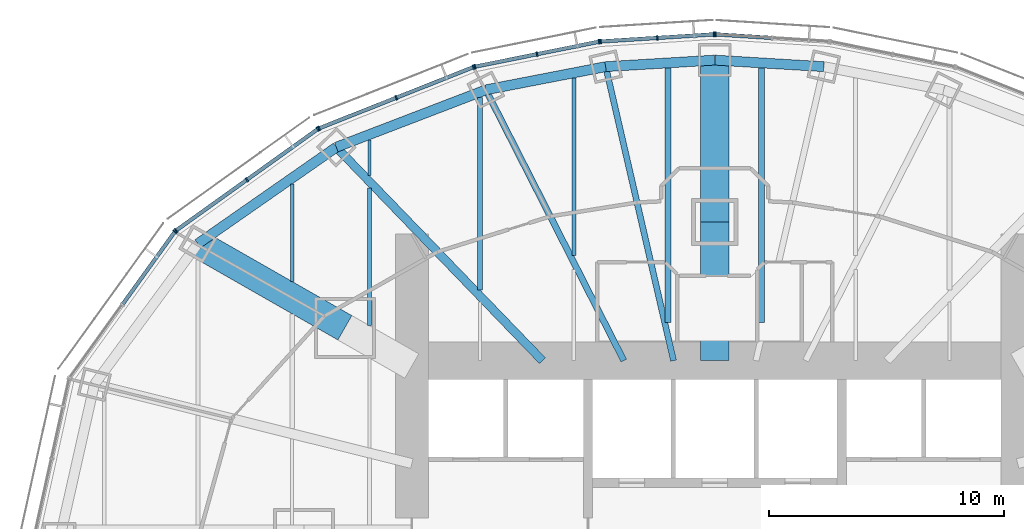
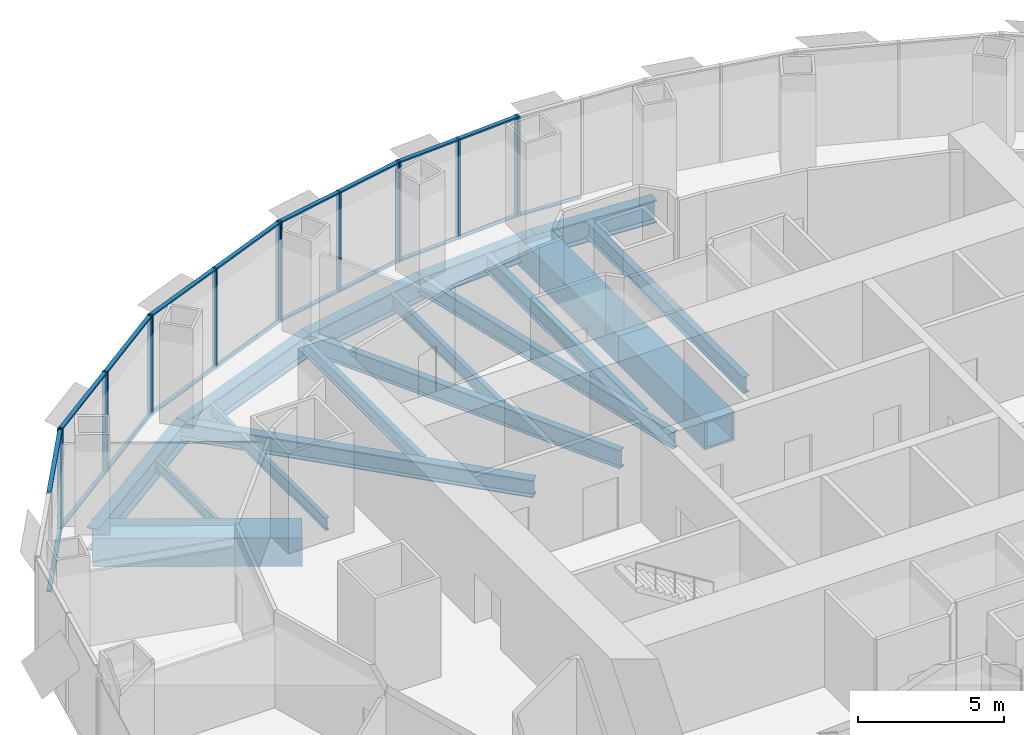
# One storey, part 7 of 17: 33 members, 18 beams, 6 elements without a shape of their own.
"""IFC4 building model written with IfcOpenShell, lengths in metres."""

from ifc_helpers import new_model, si_unit, direction, frame, origin, origin_2d, place, context, subcontext, project, spatial, rectangle, hollow_rectangle, i_section, extrude, material, material_profile, profile_set, type_object, element, aggregate, save


model = new_model("IFC4")

# Units and contexts
model_context = context("Model", 3, precision=1e-05, world=origin(), true_north=direction((0.0, 1.0)))
body_context = subcontext(model_context, "Body", "Model", "MODEL_VIEW")
ifc_project = project(units=[si_unit("LENGTHUNIT", "METRE"), si_unit("AREAUNIT", "SQUARE_METRE"), si_unit("VOLUMEUNIT", "CUBIC_METRE"), si_unit("PLANEANGLEUNIT", "RADIAN"), si_unit("MASSUNIT", "GRAM", prefix="KILO")], contexts=[model_context])

# Site, building, storey
site_placement = place(None, origin())
site = spatial("IfcSite", under=ifc_project, at=site_placement, CompositionType="ELEMENT")
building_placement = place(site_placement, origin())
building = spatial("IfcBuilding", under=site, at=building_placement, Name="Lantaw Convention Tower", CompositionType="ELEMENT")
storey_placement = place(building_placement, frame((0.0, 0.0, 117.39990234375)))
storey = spatial("IfcBuildingStorey", under=building, at=storey_placement, Name="L27", CompositionType="ELEMENT", Elevation=117.39990234375)

# Beams
ifc_material_1 = material(Name="Steel ASTM A992", Category="steel")
ifc_material_profile_1 = material_profile(ifc_material_1, i_section(OverallWidth=0.424072265625, OverallDepth=0.947509765625, WebThickness=0.02392578125, FlangeThickness=0.042724609375, FilletRadius=0.012451171875, at=origin_2d()), Name="W36X302")
ifc_profile_set_1 = profile_set([ifc_material_profile_1], Name="Steel ASTM A992")
beam_type_1 = type_object("IfcBeamType", Name="Beam BC W36X302", PredefinedType="SPANDREL", material=ifc_profile_set_1)
for number, where, z_axis, x_axis, name in (
    (1, (4.64501953125, 20.1201171875, -0.62353515625), (-0.998190892054, 0.06012439621, 0.0), (-0.06012439621, -0.998190892054, 0.0), "Belt truss chord 6"),
    (2, (0.0, 20.39990234375, -0.62353515625), (-0.998190892054, -0.06012439621, 0.0), (0.06012439621, -0.998190892054, 0.0), "Belt truss chord 7"),
):
    element("IfcBeam", number, at=place(storey_placement, frame(where, z_axis=z_axis, x_axis=x_axis)), inside=storey, type_object=beam_type_1, Name=name, PredefinedType="SPANDREL", context=body_context, shape_type="SweptSolid", body=[
        extrude(i_section(OverallWidth=0.424072265625, OverallDepth=0.947509765625, WebThickness=0.02392578125, FlangeThickness=0.042724609375, FilletRadius=0.012451171875, at=origin_2d()), origin(), (0.0, 0.0, 1.0), 4.6533203125),
    ])
beam_1_placement = place(storey_placement, frame((-4.64501953125, 20.1201171875, -0.62353515625), z_axis=(-0.981796805654, -0.189934284446, 0.0), x_axis=(0.189934284446, -0.981796805654, 0.0)))
element("IfcBeam", 3, at=beam_1_placement, inside=storey, type_object=beam_type_1, Name="Belt truss chord 8", PredefinedType="SPANDREL", context=body_context, shape_type="SweptSolid", body=[
    extrude(i_section(OverallWidth=0.424072265625, OverallDepth=0.947509765625, WebThickness=0.02392578125, FlangeThickness=0.042724609375, FilletRadius=0.012451171875, at=origin_2d()), origin(), (0.0, 0.0, 1.0), 5.1982421875),
])
beam_2_placement = place(storey_placement, frame((-9.74853515625, 19.1328125, -0.62353515625), z_axis=(-0.933691081977, -0.358079549033, 0.0), x_axis=(0.358079549033, -0.933691081977, 0.0)))
element("IfcBeam", 4, at=beam_2_placement, inside=storey, type_object=beam_type_1, Name="Belt truss chord 9", PredefinedType="SPANDREL", context=body_context, shape_type="SweptSolid", body=[
    extrude(i_section(OverallWidth=0.424072265625, OverallDepth=0.947509765625, WebThickness=0.02392578125, FlangeThickness=0.042724609375, FilletRadius=0.012451171875, at=origin_2d()), origin(), (0.0, 0.0, 1.0), 6.821533203125),
])
beam_3_placement = place(storey_placement, frame((-16.11767578125, 16.690185546875, -0.62353515625), z_axis=(-0.820310765287, -0.57191804339, 0.0), x_axis=(0.57191804339, -0.820310765287, 0.0)))
element("IfcBeam", 5, at=beam_3_placement, inside=storey, type_object=beam_type_1, Name="Belt truss chord 10", PredefinedType="SPANDREL", context=body_context, shape_type="SweptSolid", body=[
    extrude(i_section(OverallWidth=0.424072265625, OverallDepth=0.947509765625, WebThickness=0.02392578125, FlangeThickness=0.042724609375, FilletRadius=0.012451171875, at=origin_2d()), origin(), (0.0, 0.0, 1.0), 7.187744140625),
])
ifc_material_2 = material(Name="Steel EN 10025-3 S460N", Category="steel")
ifc_material_profile_2 = material_profile(ifc_material_2, hollow_rectangle(XDim=1.199951171875, YDim=1.199951171875, WallThickness=0.10009765625, at=origin_2d()), Name="BOX1200X100")
ifc_profile_set_2 = profile_set([ifc_material_profile_2], Name="Steel EN 10025-3 S460N")
beam_type_2 = type_object("IfcBeamType", Name="Beam G BOX1200X100", PredefinedType="BEAM", material=ifc_profile_set_2)
beam_4_placement = place(storey_placement, frame((0.0, 13.5, -0.75), z_axis=(0.0, 1.0, 0.0), x_axis=(-1.0, 0.0, 0.0)))
element("IfcBeam", 6, at=beam_4_placement, inside=storey, type_object=beam_type_2, Name="Floor girder on ray 7", PredefinedType="BEAM", context=body_context, shape_type="SweptSolid", body=[
    extrude(hollow_rectangle(XDim=1.199951171875, YDim=1.199951171875, WallThickness=0.10009765625, at=origin_2d()), origin(), (0.0, 0.0, 1.0), 6.89990234375),
])
beam_5_placement = place(storey_placement, frame((-15.75, 9.0, -0.75), z_axis=(-0.868245224608, 0.496135293993, 0.0), x_axis=(-0.496135293993, -0.868245224608, 0.0)))
element("IfcBeam", 7, at=beam_5_placement, inside=storey, type_object=beam_type_2, Name="Floor girder on ray 11", PredefinedType="BEAM", context=body_context, shape_type="SweptSolid", body=[
    extrude(hollow_rectangle(XDim=1.199951171875, YDim=1.199951171875, WallThickness=0.10009765625, at=origin_2d()), origin(), (0.0, 0.0, 1.0), 7.21435546875),
])
ifc_material_profile_3 = material_profile(ifc_material_1, i_section(OverallWidth=0.25390625, OverallDepth=0.700927734375, WebThickness=0.015380859375, FlangeThickness=0.02783203125, FilletRadius=0.01513671875, at=origin_2d()), Name="W27X129")
ifc_profile_set_3 = profile_set([ifc_material_profile_3], Name="Steel ASTM A992")
beam_type_3 = type_object("IfcBeamType", Name="Beam G W27X129", PredefinedType="BEAM", material=ifc_profile_set_3)
beam_6_placement = place(storey_placement, frame((-1.754638671875, 7.60009765625, -0.50048828125), z_axis=(-0.224944153104, 0.974371658036, 0.0), x_axis=(-0.974371658036, -0.224944153104, 0.0)))
element("IfcBeam", 8, at=beam_6_placement, inside=storey, type_object=beam_type_3, Name="Floor girder on ray 8", PredefinedType="BEAM", context=body_context, shape_type="SweptSolid", body=[
    extrude(i_section(OverallWidth=0.25390625, OverallDepth=0.700927734375, WebThickness=0.015380859375, FlangeThickness=0.02783203125, FilletRadius=0.01513671875, at=origin_2d()), origin(), (0.0, 0.0, 1.0), 12.849365234375),
])
ifc_material_profile_4 = material_profile(ifc_material_1, i_section(OverallWidth=0.360595703125, OverallDepth=0.72900390625, WebThickness=0.023193359375, FlangeThickness=0.041015625, FilletRadius=0.0126953125, at=origin_2d()), Name="W27X235")
ifc_profile_set_4 = profile_set([ifc_material_profile_4], Name="Steel ASTM A992")
beam_type_4 = type_object("IfcBeamType", Name="Beam G W27X235", PredefinedType="BEAM", material=ifc_profile_set_4)
beam_7_placement = place(storey_placement, frame((-7.33935546875, 7.60009765625, -0.514404296875), z_axis=(-0.694663467407, 0.719334878239, 0.0), x_axis=(-0.719334878239, -0.694663467407, 0.0)))
element("IfcBeam", 9, at=beam_7_placement, inside=storey, type_object=beam_type_4, Name="Floor girder on ray 10", PredefinedType="BEAM", context=body_context, shape_type="SweptSolid", body=[
    extrude(i_section(OverallWidth=0.360595703125, OverallDepth=0.72900390625, WebThickness=0.023193359375, FlangeThickness=0.041015625, FilletRadius=0.0126953125, at=origin_2d()), origin(), (0.0, 0.0, 1.0), 12.63671875),
])
ifc_material_profile_5 = material_profile(ifc_material_1, i_section(OverallWidth=0.2666015625, OverallDepth=0.76953125, WebThickness=0.015625, FlangeThickness=0.025390625, FilletRadius=0.0126953125, at=origin_2d()), Name="W30X132")
ifc_profile_set_5 = profile_set([ifc_material_profile_5], Name="Steel ASTM A992")
beam_type_5 = type_object("IfcBeamType", Name="Beam G W30X132", PredefinedType="BEAM", material=ifc_profile_set_5)
beam_8_placement = place(storey_placement, frame((-3.872314453125, 7.60009765625, -0.53466796875), z_axis=(-0.453991051051, 0.891006243281, 0.0), x_axis=(-0.891006243281, -0.453991051051, 0.0)))
element("IfcBeam", 10, at=beam_8_placement, inside=storey, type_object=beam_type_5, Name="Floor girder on ray 9", PredefinedType="BEAM", context=body_context, shape_type="SweptSolid", body=[
    extrude(i_section(OverallWidth=0.2666015625, OverallDepth=0.76953125, WebThickness=0.015625, FlangeThickness=0.025390625, FilletRadius=0.0126953125, at=origin_2d()), origin(), (0.0, 0.0, 1.0), 12.943359375),
])
ifc_material_profile_6 = material_profile(ifc_material_1, i_section(OverallWidth=0.140380859375, OverallDepth=0.40380859375, WebThickness=0.007080078125, FlangeThickness=0.01123046875, FilletRadius=0.01025390625, at=origin_2d()), Name="W16X31")
ifc_profile_set_6 = profile_set([ifc_material_profile_6], Name="Steel ASTM A992")
beam_type_6 = type_object("IfcBeamType", Name="Beam J W16X31", PredefinedType="JOIST", material=ifc_profile_set_6)
beam_9_placement = place(storey_placement, frame((-14.699951171875, 15.48193359375, -0.351806640625), z_axis=(0.0, 1.0, 0.0), x_axis=(-1.0, 0.0, 0.0)))
element("IfcBeam", 11, at=beam_9_placement, inside=storey, type_object=beam_type_6, Name="Floor joist", PredefinedType="JOIST", context=body_context, shape_type="SweptSolid", body=[
    extrude(i_section(OverallWidth=0.140380859375, OverallDepth=0.40380859375, WebThickness=0.007080078125, FlangeThickness=0.01123046875, FilletRadius=0.01025390625, at=origin_2d()), origin(), (0.0, 0.0, 1.0), 1.52490234375),
])
ifc_material_profile_7 = material_profile(ifc_material_1, i_section(OverallWidth=0.15234375, OverallDepth=0.449462890625, WebThickness=0.007568359375, FlangeThickness=0.0107421875, FilletRadius=0.01025390625, at=origin_2d()), Name="W18X35")
ifc_profile_set_7 = profile_set([ifc_material_profile_7], Name="Steel ASTM A992")
beam_type_7 = type_object("IfcBeamType", Name="Beam J W18X35", PredefinedType="JOIST", material=ifc_profile_set_7)
beam_10_placement = place(storey_placement, frame((-18.0, 10.976806640625, -0.374755859375), z_axis=(0.0, 1.0, 0.0), x_axis=(-1.0, 0.0, 0.0)))
element("IfcBeam", 12, at=beam_10_placement, inside=storey, type_object=beam_type_7, Name="Floor joist", PredefinedType="JOIST", context=body_context, shape_type="SweptSolid", body=[
    extrude(i_section(OverallWidth=0.15234375, OverallDepth=0.449462890625, WebThickness=0.007568359375, FlangeThickness=0.0107421875, FilletRadius=0.01025390625, at=origin_2d()), origin(), (0.0, 0.0, 1.0), 4.142578125),
])
ifc_material_profile_8 = material_profile(ifc_material_1, i_section(OverallWidth=0.1650390625, OverallDepth=0.52587890625, WebThickness=0.0087890625, FlangeThickness=0.011474609375, FilletRadius=0.0126953125, at=origin_2d()), Name="W21X44")
ifc_profile_set_8 = profile_set([ifc_material_profile_8], Name="Steel ASTM A992")
beam_type_8 = type_object("IfcBeamType", Name="Beam J W21X44", PredefinedType="JOIST", material=ifc_profile_set_8)
beam_11_placement = place(storey_placement, frame((-14.699951171875, 9.091064453125, -0.412841796875), z_axis=(0.0, 1.0, 0.0), x_axis=(-1.0, 0.0, 0.0)))
element("IfcBeam", 13, at=beam_11_placement, inside=storey, type_object=beam_type_8, Name="Floor joist", PredefinedType="JOIST", context=body_context, shape_type="SweptSolid", body=[
    extrude(i_section(OverallWidth=0.1650390625, OverallDepth=0.52587890625, WebThickness=0.0087890625, FlangeThickness=0.011474609375, FilletRadius=0.0126953125, at=origin_2d()), origin(), (0.0, 0.0, 1.0), 5.87158203125),
])
ifc_material_profile_9 = material_profile(ifc_material_1, i_section(OverallWidth=0.2099609375, OverallDepth=0.535888671875, WebThickness=0.010986328125, FlangeThickness=0.017333984375, FilletRadius=0.012939453125, at=origin_2d()), Name="W21X68")
ifc_profile_set_9 = profile_set([ifc_material_profile_9], Name="Steel ASTM A992")
beam_type_9 = type_object("IfcBeamType", Name="Beam J W21X68", PredefinedType="JOIST", material=ifc_profile_set_9)
beam_12_placement = place(storey_placement, frame((-10.0, 10.614990234375, -0.41796875), z_axis=(0.0, 1.0, 0.0), x_axis=(-1.0, 0.0, 0.0)))
element("IfcBeam", 14, at=beam_12_placement, inside=storey, type_object=beam_type_9, Name="Floor joist", PredefinedType="JOIST", context=body_context, shape_type="SweptSolid", body=[
    extrude(i_section(OverallWidth=0.2099609375, OverallDepth=0.535888671875, WebThickness=0.010986328125, FlangeThickness=0.017333984375, FilletRadius=0.012939453125, at=origin_2d()), origin(), (0.0, 0.0, 1.0), 8.194091796875),
])
ifc_material_profile_10 = material_profile(ifc_material_1, i_section(OverallWidth=0.177978515625, OverallDepth=0.599365234375, WebThickness=0.010009765625, FlangeThickness=0.012939453125, FilletRadius=0.012939453125, at=origin_2d()), Name="W24X55")
ifc_profile_set_10 = profile_set([ifc_material_profile_10], Name="Steel ASTM A992")
beam_type_10 = type_object("IfcBeamType", Name="Beam J W24X55", PredefinedType="JOIST", material=ifc_profile_set_10)
beam_13_placement = place(storey_placement, frame((-6.0, 12.0693359375, -0.44970703125), z_axis=(0.0, 1.0, 0.0), x_axis=(-1.0, 0.0, 0.0)))
element("IfcBeam", 15, at=beam_13_placement, inside=storey, type_object=beam_type_10, Name="Floor joist", PredefinedType="JOIST", context=body_context, shape_type="SweptSolid", body=[
    extrude(i_section(OverallWidth=0.177978515625, OverallDepth=0.599365234375, WebThickness=0.010009765625, FlangeThickness=0.012939453125, FilletRadius=0.012939453125, at=origin_2d()), origin(), (0.0, 0.0, 1.0), 7.572509765625),
])
ifc_material_profile_11 = material_profile(ifc_material_1, i_section(OverallWidth=0.25390625, OverallDepth=0.683349609375, WebThickness=0.012451171875, FlangeThickness=0.01904296875, FilletRadius=0.01513671875, at=origin_2d()), Name="W27X94")
ifc_profile_set_11 = profile_set([ifc_material_profile_11], Name="Steel ASTM A992")
beam_type_11 = type_object("IfcBeamType", Name="Beam J W27X94", PredefinedType="JOIST", material=ifc_profile_set_11)
for number, where, z_axis, x_axis, name in (
    (16, (-2.0, 9.2275390625, -0.491455078125), (0.0, 1.0, 0.0), (-1.0, 0.0, 0.0), "Floor joist"),
    (17, (2.0, 9.2275390625, -0.491455078125), (0.0, 1.0, 0.0), (-1.0, 0.0, 0.0), "Floor joist"),
):
    element("IfcBeam", number, at=place(storey_placement, frame(where, z_axis=z_axis, x_axis=x_axis)), inside=storey, type_object=beam_type_11, Name=name, PredefinedType="JOIST", context=body_context, shape_type="SweptSolid", body=[
        extrude(i_section(OverallWidth=0.25390625, OverallDepth=0.683349609375, WebThickness=0.012451171875, FlangeThickness=0.01904296875, FilletRadius=0.01513671875, at=origin_2d()), origin(), (0.0, 0.0, 1.0), 10.83935546875),
    ])
ifc_material_profile_12 = material_profile(ifc_material_2, hollow_rectangle(XDim=1.199951171875, YDim=1.199951171875, WallThickness=0.10009765625, at=origin_2d()), Name="BOX1200X100")
ifc_profile_set_12 = profile_set([ifc_material_profile_12], Name="Steel EN 10025-3 S460N")
beam_type_12 = type_object("IfcBeamType", Name="Beam OC BOX1200X100", PredefinedType="BEAM", material=ifc_profile_set_12)
beam_14_placement = place(storey_placement, frame((0.0, 7.60009765625, -0.75), z_axis=(0.0, 1.0, 0.0), x_axis=(-1.0, 0.0, 0.0)))
element("IfcBeam", 18, at=beam_14_placement, inside=storey, type_object=beam_type_12, Name="Outrigger chord on ray 7", PredefinedType="BEAM", context=body_context, shape_type="SweptSolid", body=[
    extrude(hollow_rectangle(XDim=1.199951171875, YDim=1.199951171875, WallThickness=0.10009765625, at=origin_2d()), origin(), (0.0, 0.0, 1.0), 5.89990234375),
])

# Curtain wall, member
ifc_material_3 = material(Name="Aluminium framed curtain wall", Category="aluminium")
curtain_wall_type = type_object("IfcCurtainWallType", Name="Office curtain wall low rise, pale aluminium", PredefinedType="USERDEFINED", material=ifc_material_3)
curtain_wall_1_placement = place(storey_placement, origin())
curtain_wall_1 = element("IfcCurtainWall", 19, at=curtain_wall_1_placement, inside=storey, type_object=curtain_wall_type, Name="Office curtain wall low rise, pale aluminium L27", ObjectType="UNITISED CURTAIN WALL", PredefinedType="USERDEFINED")
ifc_material_4 = material(Name="Aluminium 6063-T6", Category="aluminium")
ifc_material_profile_13 = material_profile(ifc_material_4, rectangle(XDim=0.199951171875, YDim=0.06494140625, at=origin_2d()), Name="CW-O1 mullion 65x200")
ifc_profile_set_13 = profile_set([ifc_material_profile_13], Name="Aluminium 6063-T6")
member_type_1 = type_object("IfcMemberType", Name="CW-O1 mullion 65x200", PredefinedType="MULLION", material=ifc_profile_set_13)
member_1_placement = place(storey_placement, frame((0.032470703125, 21.498046875, -0.14990234375), z_axis=(0.0, 0.0, 1.0), x_axis=(-0.062865059466, -0.998022035978, 0.0)))
member_1 = element("IfcMember", 20, at=member_1_placement, type_object=member_type_1, Name="CW-O1 mullion 3", PredefinedType="MULLION", context=body_context, shape_type="SweptSolid", body=[
    extrude(rectangle(XDim=0.199951171875, YDim=0.06494140625, at=origin_2d()), origin(), (0.0, 0.0, 1.0), 4.199951171875),
])

# Curtain wall, members
curtain_wall_2_placement = place(storey_placement, origin())
curtain_wall_2 = element("IfcCurtainWall", 21, at=curtain_wall_2_placement, inside=storey, type_object=curtain_wall_type, Name="Office curtain wall low rise, pale aluminium L27", ObjectType="UNITISED CURTAIN WALL", PredefinedType="USERDEFINED")
member_2_placement = place(storey_placement, frame((-0.032470703125, 21.498046875, -0.14990234375), z_axis=(0.0, 0.0, 1.0), x_axis=(0.062865059466, -0.998022035978, 0.0)))
member_2 = element("IfcMember", 22, at=member_2_placement, type_object=member_type_1, Name="CW-O1 mullion 1", PredefinedType="MULLION", context=body_context, shape_type="SweptSolid", body=[
    extrude(rectangle(XDim=0.199951171875, YDim=0.06494140625, at=origin_2d()), origin(), (0.0, 0.0, 1.0), 4.199951171875),
])
member_3_placement = place(storey_placement, frame((-2.4462890625, 21.345947265625, -0.14990234375), z_axis=(0.0, 0.0, 1.0), x_axis=(0.062865059466, -0.998022035978, 0.0)))
member_3 = element("IfcMember", 23, at=member_3_placement, type_object=member_type_1, Name="CW-O1 mullion 2", PredefinedType="MULLION", context=body_context, shape_type="SweptSolid", body=[
    extrude(rectangle(XDim=0.199951171875, YDim=0.06494140625, at=origin_2d()), origin(), (0.0, 0.0, 1.0), 4.199951171875),
])
member_4_placement = place(storey_placement, frame((-4.860107421875, 21.19384765625, -0.14990234375), z_axis=(0.0, 0.0, 1.0), x_axis=(0.062865059466, -0.998022035978, 0.0)))
member_4 = element("IfcMember", 24, at=member_4_placement, type_object=member_type_1, Name="CW-O1 mullion 3", PredefinedType="MULLION", context=body_context, shape_type="SweptSolid", body=[
    extrude(rectangle(XDim=0.199951171875, YDim=0.06494140625, at=origin_2d()), origin(), (0.0, 0.0, 1.0), 4.199951171875),
])

curtain_wall_3_placement = place(storey_placement, origin())
curtain_wall_3 = element("IfcCurtainWall", 25, at=curtain_wall_3_placement, inside=storey, type_object=curtain_wall_type, Name="Office curtain wall low rise, pale aluminium L27", ObjectType="UNITISED CURTAIN WALL", PredefinedType="USERDEFINED")
member_5_placement = place(storey_placement, frame((-4.92431640625, 21.185302734375, -0.14990234375), z_axis=(0.0, 0.0, 1.0), x_axis=(0.197506809659, -0.980301514912, 0.0)))
member_5 = element("IfcMember", 26, at=member_5_placement, type_object=member_type_1, Name="CW-O1 mullion 1", PredefinedType="MULLION", context=body_context, shape_type="SweptSolid", body=[
    extrude(rectangle(XDim=0.199951171875, YDim=0.06494140625, at=origin_2d()), origin(), (0.0, 0.0, 1.0), 4.199951171875),
])
member_6_placement = place(storey_placement, frame((-7.5703125, 20.65234375, -0.14990234375), z_axis=(0.0, 0.0, 1.0), x_axis=(0.197506809659, -0.980301514912, 0.0)))
member_6 = element("IfcMember", 27, at=member_6_placement, type_object=member_type_1, Name="CW-O1 mullion 2", PredefinedType="MULLION", context=body_context, shape_type="SweptSolid", body=[
    extrude(rectangle(XDim=0.199951171875, YDim=0.06494140625, at=origin_2d()), origin(), (0.0, 0.0, 1.0), 4.199951171875),
])
member_7_placement = place(storey_placement, frame((-10.216064453125, 20.119140625, -0.14990234375), z_axis=(0.0, 0.0, 1.0), x_axis=(0.197506809659, -0.980301514912, 0.0)))
member_7 = element("IfcMember", 28, at=member_7_placement, type_object=member_type_1, Name="CW-O1 mullion 3", PredefinedType="MULLION", context=body_context, shape_type="SweptSolid", body=[
    extrude(rectangle(XDim=0.199951171875, YDim=0.06494140625, at=origin_2d()), origin(), (0.0, 0.0, 1.0), 4.199951171875),
])

curtain_wall_4_placement = place(storey_placement, origin())
curtain_wall_4 = element("IfcCurtainWall", 29, at=curtain_wall_4_placement, inside=storey, type_object=curtain_wall_type, Name="Office curtain wall low rise, pale aluminium L27", ObjectType="UNITISED CURTAIN WALL", PredefinedType="USERDEFINED")
member_8_placement = place(storey_placement, frame((-10.2783203125, 20.100830078125, -0.14990234375), z_axis=(0.0, 0.0, 1.0), x_axis=(0.368701907483, -0.929547687544, 0.0)))
member_8 = element("IfcMember", 30, at=member_8_placement, type_object=member_type_1, Name="CW-O1 mullion 1", PredefinedType="MULLION", context=body_context, shape_type="SweptSolid", body=[
    extrude(rectangle(XDim=0.199951171875, YDim=0.06494140625, at=origin_2d()), origin(), (0.0, 0.0, 1.0), 4.199951171875),
])
member_9_placement = place(storey_placement, frame((-13.56494140625, 18.797119140625, -0.14990234375), z_axis=(0.0, 0.0, 1.0), x_axis=(0.368701907483, -0.929547687544, 0.0)))
member_9 = element("IfcMember", 31, at=member_9_placement, type_object=member_type_1, Name="CW-O1 mullion 2", PredefinedType="MULLION", context=body_context, shape_type="SweptSolid", body=[
    extrude(rectangle(XDim=0.199951171875, YDim=0.06494140625, at=origin_2d()), origin(), (0.0, 0.0, 1.0), 4.199951171875),
])
member_10_placement = place(storey_placement, frame((-16.8515625, 17.49365234375, -0.14990234375), z_axis=(0.0, 0.0, 1.0), x_axis=(0.368701907483, -0.929547687544, 0.0)))
member_10 = element("IfcMember", 32, at=member_10_placement, type_object=member_type_1, Name="CW-O1 mullion 3", PredefinedType="MULLION", context=body_context, shape_type="SweptSolid", body=[
    extrude(rectangle(XDim=0.199951171875, YDim=0.06494140625, at=origin_2d()), origin(), (0.0, 0.0, 1.0), 4.199951171875),
])

curtain_wall_5_placement = place(storey_placement, origin())
curtain_wall_5 = element("IfcCurtainWall", 33, at=curtain_wall_5_placement, inside=storey, type_object=curtain_wall_type, Name="Office curtain wall low rise, pale aluminium L27", ObjectType="UNITISED CURTAIN WALL", PredefinedType="USERDEFINED")
member_11_placement = place(storey_placement, frame((-16.908203125, 17.462646484375, -0.14990234375), z_axis=(0.0, 0.0, 1.0), x_axis=(0.581972695693, -0.813208325995, 0.0)))
member_11 = element("IfcMember", 34, at=member_11_placement, type_object=member_type_1, Name="CW-O1 mullion 1", PredefinedType="MULLION", context=body_context, shape_type="SweptSolid", body=[
    extrude(rectangle(XDim=0.199951171875, YDim=0.06494140625, at=origin_2d()), origin(), (0.0, 0.0, 1.0), 4.199951171875),
])
member_12_placement = place(storey_placement, frame((-19.92529296875, 15.303466796875, -0.14990234375), z_axis=(0.0, 0.0, 1.0), x_axis=(0.581972695693, -0.813208325995, 0.0)))
member_12 = element("IfcMember", 35, at=member_12_placement, type_object=member_type_1, Name="CW-O1 mullion 2", PredefinedType="MULLION", context=body_context, shape_type="SweptSolid", body=[
    extrude(rectangle(XDim=0.199951171875, YDim=0.06494140625, at=origin_2d()), origin(), (0.0, 0.0, 1.0), 4.199951171875),
])
member_13_placement = place(storey_placement, frame((-22.942626953125, 13.14404296875, -0.14990234375), z_axis=(0.0, 0.0, 1.0), x_axis=(0.581972695693, -0.813208325995, 0.0)))
member_13 = element("IfcMember", 36, at=member_13_placement, type_object=member_type_1, Name="CW-O1 mullion 3", PredefinedType="MULLION", context=body_context, shape_type="SweptSolid", body=[
    extrude(rectangle(XDim=0.199951171875, YDim=0.06494140625, at=origin_2d()), origin(), (0.0, 0.0, 1.0), 4.199951171875),
])

# Curtain wall, member
curtain_wall_6_placement = place(storey_placement, origin())
curtain_wall_6 = element("IfcCurtainWall", 37, at=curtain_wall_6_placement, inside=storey, type_object=curtain_wall_type, Name="Office curtain wall low rise, pale aluminium L27", ObjectType="UNITISED CURTAIN WALL", PredefinedType="USERDEFINED")
member_14_placement = place(storey_placement, frame((-22.988037109375, 13.098876953125, -0.14990234375), z_axis=(0.0, 0.0, 1.0), x_axis=(0.811384633629, -0.584512597221, 0.0)))
member_14 = element("IfcMember", 38, at=member_14_placement, type_object=member_type_1, Name="CW-O1 mullion 1", PredefinedType="MULLION", context=body_context, shape_type="SweptSolid", body=[
    extrude(rectangle(XDim=0.199951171875, YDim=0.06494140625, at=origin_2d()), origin(), (0.0, 0.0, 1.0), 4.199951171875),
])

# Member
ifc_material_profile_14 = material_profile(ifc_material_4, rectangle(XDim=0.159912109375, YDim=0.06494140625, at=origin_2d()), Name="CW-O1 transom 65x160")
ifc_profile_set_14 = profile_set([ifc_material_profile_14], Name="Aluminium 6063-T6")
member_type_2 = type_object("IfcMemberType", Name="CW-O1 transom 65x160", PredefinedType="USERDEFINED", material=ifc_profile_set_14)
member_15_placement = place(storey_placement, frame((2.413818359375, 21.347900390625, -0.117431640625), z_axis=(-0.998022188463, 0.062862638625, 0.0), x_axis=(-0.062862638625, -0.998022188463, 0.0)))
member_15 = element("IfcMember", 39, at=member_15_placement, type_object=member_type_2, Name="CW-O1 transom 2.1", ObjectType="TRANSOM", PredefinedType="USERDEFINED", context=body_context, shape_type="SweptSolid", body=[
    extrude(rectangle(XDim=0.159912109375, YDim=0.06494140625, at=origin_2d()), origin(), (0.0, 0.0, 1.0), 2.353515625),
])

aggregate(curtain_wall_1, [member_1, member_15])

member_16_placement = place(storey_placement, frame((-0.06494140625, 21.495849609375, -0.117431640625), z_axis=(-0.998022188463, -0.062862638625, 0.0), x_axis=(0.062862638625, -0.998022188463, 0.0)))
member_16 = element("IfcMember", 40, at=member_16_placement, type_object=member_type_2, Name="CW-O1 transom 1.1", ObjectType="TRANSOM", PredefinedType="USERDEFINED", context=body_context, shape_type="SweptSolid", body=[
    extrude(rectangle(XDim=0.159912109375, YDim=0.06494140625, at=origin_2d()), origin(), (0.0, 0.0, 1.0), 2.353515625),
])

member_17_placement = place(storey_placement, frame((-0.06494140625, 21.495849609375, 4.017578125), z_axis=(-0.998022188463, -0.062862638625, 0.0), x_axis=(0.062862638625, -0.998022188463, 0.0)))
member_17 = element("IfcMember", 41, at=member_17_placement, type_object=member_type_2, Name="CW-O1 transom 1.2", ObjectType="TRANSOM", PredefinedType="USERDEFINED", context=body_context, shape_type="SweptSolid", body=[
    extrude(rectangle(XDim=0.159912109375, YDim=0.06494140625, at=origin_2d()), origin(), (0.0, 0.0, 1.0), 2.353515625),
])

member_18_placement = place(storey_placement, frame((-2.478759765625, 21.34375, -0.117431640625), z_axis=(-0.998022188463, -0.062862638625, 0.0), x_axis=(0.062862638625, -0.998022188463, 0.0)))
member_18 = element("IfcMember", 42, at=member_18_placement, type_object=member_type_2, Name="CW-O1 transom 2.1", ObjectType="TRANSOM", PredefinedType="USERDEFINED", context=body_context, shape_type="SweptSolid", body=[
    extrude(rectangle(XDim=0.159912109375, YDim=0.06494140625, at=origin_2d()), origin(), (0.0, 0.0, 1.0), 2.353515625),
])

member_19_placement = place(storey_placement, frame((-2.478759765625, 21.34375, 4.017578125), z_axis=(-0.998022188463, -0.062862638625, 0.0), x_axis=(0.062862638625, -0.998022188463, 0.0)))
member_19 = element("IfcMember", 43, at=member_19_placement, type_object=member_type_2, Name="CW-O1 transom 2.2", ObjectType="TRANSOM", PredefinedType="USERDEFINED", context=body_context, shape_type="SweptSolid", body=[
    extrude(rectangle(XDim=0.159912109375, YDim=0.06494140625, at=origin_2d()), origin(), (0.0, 0.0, 1.0), 2.353515625),
])

aggregate(curtain_wall_2, [member_2, member_3, member_4, member_16, member_17, member_18, member_19])

member_20_placement = place(storey_placement, frame((-4.956298828125, 21.178955078125, -0.117431640625), z_axis=(-0.980298027092, -0.197524120247, 0.0), x_axis=(0.197524120247, -0.980298027092, 0.0)))
member_20 = element("IfcMember", 44, at=member_20_placement, type_object=member_type_2, Name="CW-O1 transom 1.1", ObjectType="TRANSOM", PredefinedType="USERDEFINED", context=body_context, shape_type="SweptSolid", body=[
    extrude(rectangle(XDim=0.159912109375, YDim=0.06494140625, at=origin_2d()), origin(), (0.0, 0.0, 1.0), 2.634033203125),
])

member_21_placement = place(storey_placement, frame((-4.956298828125, 21.178955078125, 4.017578125), z_axis=(-0.980298027092, -0.197524120247, 0.0), x_axis=(0.197524120247, -0.980298027092, 0.0)))
member_21 = element("IfcMember", 45, at=member_21_placement, type_object=member_type_2, Name="CW-O1 transom 1.2", ObjectType="TRANSOM", PredefinedType="USERDEFINED", context=body_context, shape_type="SweptSolid", body=[
    extrude(rectangle(XDim=0.159912109375, YDim=0.06494140625, at=origin_2d()), origin(), (0.0, 0.0, 1.0), 2.634033203125),
])

member_22_placement = place(storey_placement, frame((-7.60205078125, 20.64599609375, -0.117431640625), z_axis=(-0.980301643003, -0.197506173891, 0.0), x_axis=(0.197506173891, -0.980301643003, 0.0)))
member_22 = element("IfcMember", 46, at=member_22_placement, type_object=member_type_2, Name="CW-O1 transom 2.1", ObjectType="TRANSOM", PredefinedType="USERDEFINED", context=body_context, shape_type="SweptSolid", body=[
    extrude(rectangle(XDim=0.159912109375, YDim=0.06494140625, at=origin_2d()), origin(), (0.0, 0.0, 1.0), 2.63427734375),
])

member_23_placement = place(storey_placement, frame((-7.60205078125, 20.64599609375, 4.017578125), z_axis=(-0.980301643003, -0.197506173891, 0.0), x_axis=(0.197506173891, -0.980301643003, 0.0)))
member_23 = element("IfcMember", 47, at=member_23_placement, type_object=member_type_2, Name="CW-O1 transom 2.2", ObjectType="TRANSOM", PredefinedType="USERDEFINED", context=body_context, shape_type="SweptSolid", body=[
    extrude(rectangle(XDim=0.159912109375, YDim=0.06494140625, at=origin_2d()), origin(), (0.0, 0.0, 1.0), 2.63427734375),
])

aggregate(curtain_wall_3, [member_5, member_6, member_7, member_20, member_21, member_22, member_23])

member_24_placement = place(storey_placement, frame((-10.308349609375, 20.0888671875, -0.117431640625), z_axis=(-0.929540081544, -0.368721082668, 0.0), x_axis=(0.368721082668, -0.929540081544, 0.0)))
member_24 = element("IfcMember", 48, at=member_24_placement, type_object=member_type_2, Name="CW-O1 transom 1.1", ObjectType="TRANSOM", PredefinedType="USERDEFINED", context=body_context, shape_type="SweptSolid", body=[
    extrude(rectangle(XDim=0.159912109375, YDim=0.06494140625, at=origin_2d()), origin(), (0.0, 0.0, 1.0), 3.470947265625),
])

member_25_placement = place(storey_placement, frame((-10.308349609375, 20.0888671875, 4.017578125), z_axis=(-0.929540081544, -0.368721082668, 0.0), x_axis=(0.368721082668, -0.929540081544, 0.0)))
member_25 = element("IfcMember", 49, at=member_25_placement, type_object=member_type_2, Name="CW-O1 transom 1.2", ObjectType="TRANSOM", PredefinedType="USERDEFINED", context=body_context, shape_type="SweptSolid", body=[
    extrude(rectangle(XDim=0.159912109375, YDim=0.06494140625, at=origin_2d()), origin(), (0.0, 0.0, 1.0), 3.470947265625),
])

member_26_placement = place(storey_placement, frame((-13.594970703125, 18.78515625, -0.117431640625), z_axis=(-0.929564188507, -0.368660303592, 0.0), x_axis=(0.368660303592, -0.929564188507, 0.0)))
member_26 = element("IfcMember", 50, at=member_26_placement, type_object=member_type_2, Name="CW-O1 transom 2.1", ObjectType="TRANSOM", PredefinedType="USERDEFINED", context=body_context, shape_type="SweptSolid", body=[
    extrude(rectangle(XDim=0.159912109375, YDim=0.06494140625, at=origin_2d()), origin(), (0.0, 0.0, 1.0), 3.470703125),
])

member_27_placement = place(storey_placement, frame((-13.594970703125, 18.78515625, 4.017578125), z_axis=(-0.929564188507, -0.368660303592, 0.0), x_axis=(0.368660303592, -0.929564188507, 0.0)))
member_27 = element("IfcMember", 51, at=member_27_placement, type_object=member_type_2, Name="CW-O1 transom 2.2", ObjectType="TRANSOM", PredefinedType="USERDEFINED", context=body_context, shape_type="SweptSolid", body=[
    extrude(rectangle(XDim=0.159912109375, YDim=0.06494140625, at=origin_2d()), origin(), (0.0, 0.0, 1.0), 3.470703125),
])

aggregate(curtain_wall_4, [member_8, member_9, member_10, member_24, member_25, member_26, member_27])

member_28_placement = place(storey_placement, frame((-16.9345703125, 17.44384765625, -0.117431640625), z_axis=(-0.813190089133, -0.581998177777, 0.0), x_axis=(0.581998177777, -0.813190089133, 0.0)))
member_28 = element("IfcMember", 52, at=member_28_placement, type_object=member_type_2, Name="CW-O1 transom 1.1", ObjectType="TRANSOM", PredefinedType="USERDEFINED", context=body_context, shape_type="SweptSolid", body=[
    extrude(rectangle(XDim=0.159912109375, YDim=0.06494140625, at=origin_2d()), origin(), (0.0, 0.0, 1.0), 3.645263671875),
])

member_29_placement = place(storey_placement, frame((-16.9345703125, 17.44384765625, 4.017578125), z_axis=(-0.813190089133, -0.581998177777, 0.0), x_axis=(0.581998177777, -0.813190089133, 0.0)))
member_29 = element("IfcMember", 53, at=member_29_placement, type_object=member_type_2, Name="CW-O1 transom 1.2", ObjectType="TRANSOM", PredefinedType="USERDEFINED", context=body_context, shape_type="SweptSolid", body=[
    extrude(rectangle(XDim=0.159912109375, YDim=0.06494140625, at=origin_2d()), origin(), (0.0, 0.0, 1.0), 3.645263671875),
])

member_30_placement = place(storey_placement, frame((-19.951904296875, 15.284423828125, -0.117431640625), z_axis=(-0.813221785972, -0.581953887194, 0.0), x_axis=(0.581953887194, -0.813221785972, 0.0)))
member_30 = element("IfcMember", 54, at=member_30_placement, type_object=member_type_2, Name="CW-O1 transom 2.1", ObjectType="TRANSOM", PredefinedType="USERDEFINED", context=body_context, shape_type="SweptSolid", body=[
    extrude(rectangle(XDim=0.159912109375, YDim=0.06494140625, at=origin_2d()), origin(), (0.0, 0.0, 1.0), 3.645263671875),
])

member_31_placement = place(storey_placement, frame((-19.951904296875, 15.284423828125, 4.017578125), z_axis=(-0.813221785972, -0.581953887194, 0.0), x_axis=(0.581953887194, -0.813221785972, 0.0)))
member_31 = element("IfcMember", 55, at=member_31_placement, type_object=member_type_2, Name="CW-O1 transom 2.2", ObjectType="TRANSOM", PredefinedType="USERDEFINED", context=body_context, shape_type="SweptSolid", body=[
    extrude(rectangle(XDim=0.159912109375, YDim=0.06494140625, at=origin_2d()), origin(), (0.0, 0.0, 1.0), 3.645263671875),
])

aggregate(curtain_wall_5, [member_11, member_12, member_13, member_28, member_29, member_30, member_31])

member_32_placement = place(storey_placement, frame((-23.007080078125, 13.072509765625, -0.117431640625), z_axis=(-0.584512973979, -0.811384362217, 0.0), x_axis=(0.811384362217, -0.584512973979, 0.0)))
member_32 = element("IfcMember", 56, at=member_32_placement, type_object=member_type_2, Name="CW-O1 transom 1.1", ObjectType="TRANSOM", PredefinedType="USERDEFINED", context=body_context, shape_type="SweptSolid", body=[
    extrude(rectangle(XDim=0.159912109375, YDim=0.06494140625, at=origin_2d()), origin(), (0.0, 0.0, 1.0), 3.767578125),
])

member_33_placement = place(storey_placement, frame((-23.007080078125, 13.072509765625, 4.017578125), z_axis=(-0.584512973979, -0.811384362217, 0.0), x_axis=(0.811384362217, -0.584512973979, 0.0)))
member_33 = element("IfcMember", 57, at=member_33_placement, type_object=member_type_2, Name="CW-O1 transom 1.2", ObjectType="TRANSOM", PredefinedType="USERDEFINED", context=body_context, shape_type="SweptSolid", body=[
    extrude(rectangle(XDim=0.159912109375, YDim=0.06494140625, at=origin_2d()), origin(), (0.0, 0.0, 1.0), 3.767578125),
])

aggregate(curtain_wall_6, [member_14, member_32, member_33])

save(model, "model.ifc")
